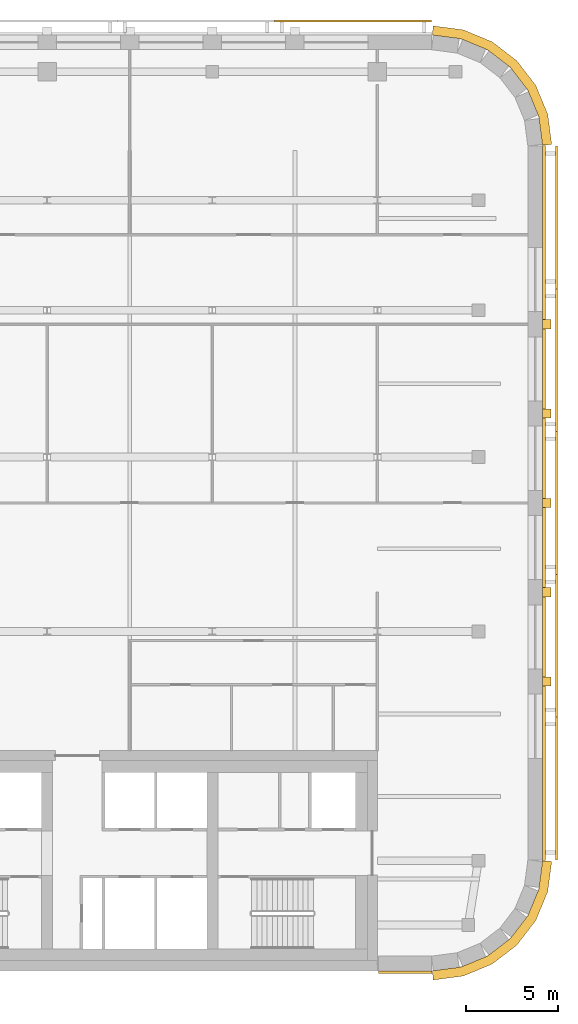
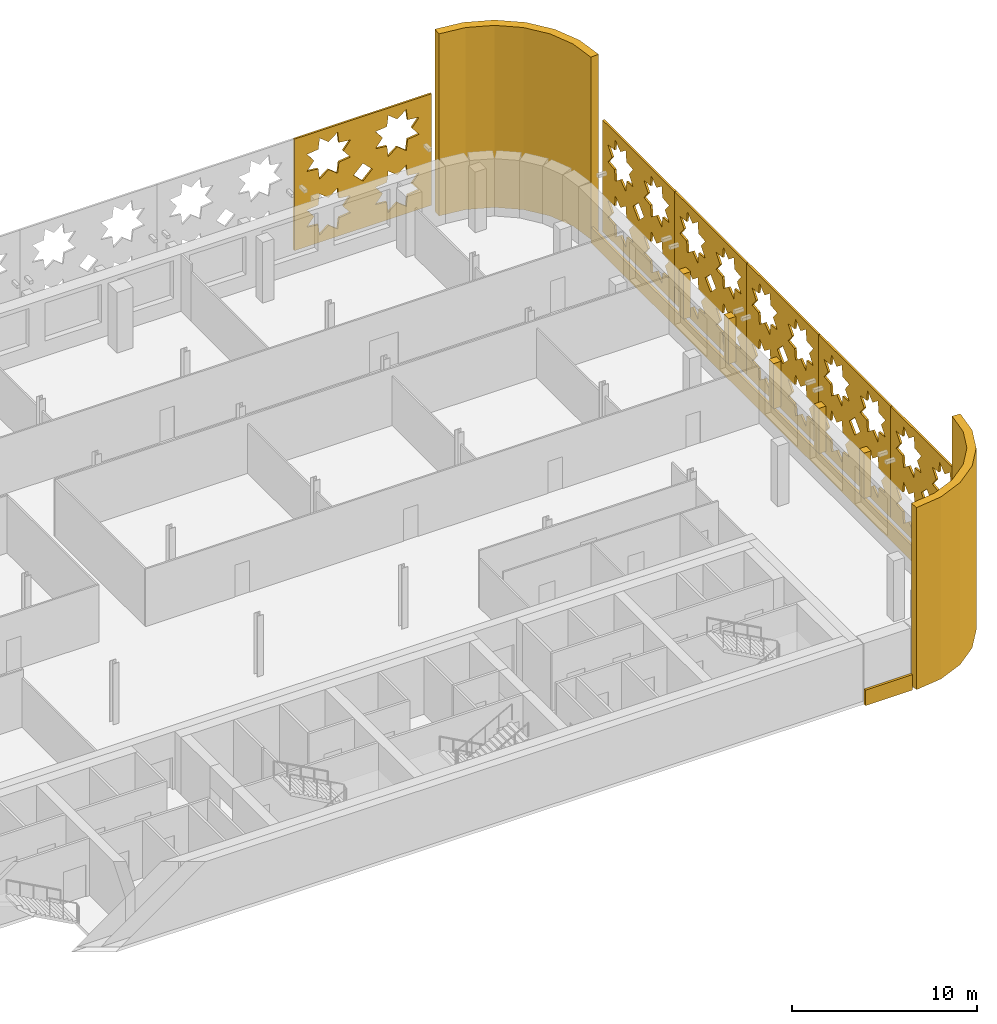
# One storey, part 16 of 16: 15 coverings.
"""IFC4 building model written with IfcOpenShell, lengths in metres."""

from ifc_helpers import new_model, si_unit, direction, frame, origin, place, context, subcontext, project, spatial, polyline, outline, extrude, material, layer, layer_set, type_object, element, save


model = new_model("IFC4")

# Units and contexts
model_context = context("Model", 3, precision=1e-05, world=origin(), true_north=direction((0.0, 1.0)))
body_context = subcontext(model_context, "Body", "Model", "MODEL_VIEW")
ifc_project = project(units=[si_unit("LENGTHUNIT", "METRE"), si_unit("AREAUNIT", "SQUARE_METRE"), si_unit("VOLUMEUNIT", "CUBIC_METRE"), si_unit("PLANEANGLEUNIT", "RADIAN"), si_unit("MASSUNIT", "GRAM", prefix="KILO")], contexts=[model_context])

# Site, building, storey
site_placement = place(None, origin())
site = spatial("IfcSite", under=ifc_project, at=site_placement, CompositionType="ELEMENT")
building_placement = place(site_placement, origin())
building = spatial("IfcBuilding", under=site, at=building_placement, Name="Zellij Exchange Tower", CompositionType="ELEMENT")
storey_placement = place(building_placement, frame((0.0, 0.0, 272.5)))
storey = spatial("IfcBuildingStorey", under=building, at=storey_placement, Name="L64", CompositionType="ELEMENT", Elevation=272.5)

# Coverings
ifc_material_1 = material(Name="Limestone cladding", Category="masonry")
ifc_layer_1 = layer(ifc_material_1, 0.14990234375)
ifc_layer_set_1 = layer_set([ifc_layer_1], Name="Limestone cladding")
covering_type_1 = type_object("IfcCoveringType", Name="ENV-CV1 Stone spandrel band 150", PredefinedType="CLADDING", material=ifc_layer_set_1)
covering_1_placement = place(storey_placement, frame((0.0, 0.0, -0.219970703125)))
element("IfcCovering", 1, at=covering_1_placement, inside=storey, type_object=covering_type_1, Name="Stone spandrel band", PredefinedType="CLADDING", context=body_context, shape_type="SweptSolid", body=[
    extrude(outline(polyline([(27.050048828125, -14.0), (29.973876953125, -14.0), (29.973876953125, -14.14990234375), (27.050048828125, -14.14990234375), (27.050048828125, -14.0)])), origin(), (0.0, 0.0, 1.0), 1.02001953125),
])
covering_2_placement = place(storey_placement, frame((0.0, 0.0, -0.219970703125)))
element("IfcCovering", 2, at=covering_2_placement, inside=storey, type_object=covering_type_1, Name="Stone spandrel band", PredefinedType="CLADDING", context=body_context, shape_type="SweptSolid", body=[
    extrude(outline(polyline([(36.0, -7.973876953125), (36.0, 30.973876953125), (36.14990234375, 30.983642578125), (36.14990234375, -7.983642578125), (36.0, -7.973876953125)])), origin(), (0.0, 0.0, 1.0), 1.02001953125),
])
ifc_layer_2 = layer(ifc_material_1, 0.5)
ifc_layer_set_2 = layer_set([ifc_layer_2], Name="Limestone cladding")
covering_type_2 = type_object("IfcCoveringType", Name="ENV-CV12 Stone corner pier 500", PredefinedType="CLADDING", material=ifc_layer_set_2)
covering_3_placement = place(storey_placement, origin())
element("IfcCovering", 3, at=covering_3_placement, inside=storey, type_object=covering_type_2, Name="Stone corner pier", PredefinedType="CLADDING", context=body_context, shape_type="SweptSolid", body=[
    extrude(outline(polyline([(30.0, -14.0), (31.552978515625, -13.795654296875), (33.0, -13.1962890625), (34.24267578125, -12.24267578125), (35.1962890625, -11.0), (35.795654296875, -9.552978515625), (36.0, -8.0), (36.5, -8.03271484375), (36.28271484375, -9.683349609375), (35.6328125, -11.252197265625), (34.59912109375, -12.59912109375), (33.252197265625, -13.6328125), (31.683349609375, -14.28271484375), (30.03271484375, -14.5), (30.0, -14.0)])), origin(), (0.0, 0.0, 1.0), 12.0),
])
covering_4_placement = place(storey_placement, origin())
element("IfcCovering", 4, at=covering_4_placement, inside=storey, type_object=covering_type_2, Name="Stone corner pier", PredefinedType="CLADDING", context=body_context, shape_type="SweptSolid", body=[
    extrude(outline(polyline([(36.0, 31.0), (35.795654296875, 32.552978515625), (35.1962890625, 34.0), (34.24267578125, 35.24267578125), (33.0, 36.1962890625), (31.552978515625, 36.795654296875), (30.0, 37.0), (30.03271484375, 37.5), (31.683349609375, 37.28271484375), (33.252197265625, 36.6328125), (34.59912109375, 35.59912109375), (35.6328125, 34.252197265625), (36.28271484375, 32.683349609375), (36.5, 31.03271484375), (36.0, 31.0)])), origin(), (0.0, 0.0, 1.0), 12.0),
])
covering_type_3 = type_object("IfcCoveringType", Name="ENV-CV4 Stone pier 500x450", PredefinedType="CLADDING", material=ifc_material_1)
covering_5_placement = place(storey_placement, frame((0.0, 0.0, 0.800048828125)))
element("IfcCovering", 5, at=covering_5_placement, inside=storey, type_object=covering_type_3, Name="Stone pier", PredefinedType="CLADDING", context=body_context, shape_type="SweptSolid", body=[
    extrude(outline(polyline([(36.0, 1.51318359375), (36.0, 2.01318359375), (36.449951171875, 2.01318359375), (36.449951171875, 1.51318359375), (36.0, 1.51318359375)])), origin(), (0.0, 0.0, 1.0), 2.97998046875),
])
covering_6_placement = place(storey_placement, frame((0.0, 0.0, 0.800048828125)))
element("IfcCovering", 6, at=covering_6_placement, inside=storey, type_object=covering_type_3, Name="Stone pier", PredefinedType="CLADDING", context=body_context, shape_type="SweptSolid", body=[
    extrude(outline(polyline([(36.0, 6.381591796875), (36.0, 6.881591796875), (36.449951171875, 6.881591796875), (36.449951171875, 6.381591796875), (36.0, 6.381591796875)])), origin(), (0.0, 0.0, 1.0), 2.97998046875),
])
covering_7_placement = place(storey_placement, frame((0.0, 0.0, 0.800048828125)))
element("IfcCovering", 7, at=covering_7_placement, inside=storey, type_object=covering_type_3, Name="Stone pier", PredefinedType="CLADDING", context=body_context, shape_type="SweptSolid", body=[
    extrude(outline(polyline([(36.0, 11.25), (36.0, 11.75), (36.449951171875, 11.75), (36.449951171875, 11.25), (36.0, 11.25)])), origin(), (0.0, 0.0, 1.0), 2.97998046875),
])
covering_8_placement = place(storey_placement, frame((0.0, 0.0, 0.800048828125)))
element("IfcCovering", 8, at=covering_8_placement, inside=storey, type_object=covering_type_3, Name="Stone pier", PredefinedType="CLADDING", context=body_context, shape_type="SweptSolid", body=[
    extrude(outline(polyline([(36.0, 16.118408203125), (36.0, 16.618408203125), (36.449951171875, 16.618408203125), (36.449951171875, 16.118408203125), (36.0, 16.118408203125)])), origin(), (0.0, 0.0, 1.0), 2.97998046875),
])
covering_9_placement = place(storey_placement, frame((0.0, 0.0, 0.800048828125)))
element("IfcCovering", 9, at=covering_9_placement, inside=storey, type_object=covering_type_3, Name="Stone pier", PredefinedType="CLADDING", context=body_context, shape_type="SweptSolid", body=[
    extrude(outline(polyline([(36.0, 20.98681640625), (36.0, 21.48681640625), (36.449951171875, 21.48681640625), (36.449951171875, 20.98681640625), (36.0, 20.98681640625)])), origin(), (0.0, 0.0, 1.0), 2.97998046875),
])
ifc_material_2 = material(Name="Limestone screen", Category="masonry")
ifc_layer_3 = layer(ifc_material_2, 0.1201171875)
ifc_layer_set_3 = layer_set([ifc_layer_3], Name="Limestone screen")
covering_type_4 = type_object("IfcCoveringType", Name="ENV-SC1 Pierced stone screen 120", PredefinedType="USERDEFINED", material=ifc_layer_set_3)
covering_10_placement = place(storey_placement, frame((29.947509765625, 37.760009765625, 0.300048828125), z_axis=(0.0, 0.0, 1.0), x_axis=(-1.0, 0.0, 0.0)))
element("IfcCovering", 10, at=covering_10_placement, inside=storey, type_object=covering_type_4, Name="Pierced stone screen", ObjectType="SCREEN", PredefinedType="USERDEFINED", context=body_context, shape_type="SweptSolid", body=[
    extrude(outline(polyline([(0.0, 0.0), (8.556396484375, 0.0), (8.556396484375, 7.35009765625), (0.0, 7.35009765625), (0.0, 0.0)]), holes=[polyline([(3.497314453125, 2.39990234375), (2.78369140625, 2.48193359375), (2.70166015625, 3.195556640625), (2.13916015625, 2.748779296875), (1.57666015625, 3.195556640625), (1.49462890625, 2.48193359375), (0.781005859375, 2.39990234375), (1.227783203125, 1.83740234375), (0.781005859375, 1.27490234375), (1.49462890625, 1.193115234375), (1.57666015625, 0.4794921875), (2.13916015625, 0.926025390625), (2.70166015625, 0.4794921875), (2.78369140625, 1.193115234375), (3.497314453125, 1.27490234375), (3.050537109375, 1.83740234375), (3.497314453125, 2.39990234375)]), polyline([(3.497314453125, 6.074951171875), (2.78369140625, 6.156982421875), (2.70166015625, 6.87060546875), (2.13916015625, 6.423828125), (1.57666015625, 6.87060546875), (1.49462890625, 6.156982421875), (0.781005859375, 6.074951171875), (1.227783203125, 5.512451171875), (0.781005859375, 4.949951171875), (1.49462890625, 4.867919921875), (1.57666015625, 4.154296875), (2.13916015625, 4.60107421875), (2.70166015625, 4.154296875), (2.78369140625, 4.867919921875), (3.497314453125, 4.949951171875), (3.050537109375, 5.512451171875), (3.497314453125, 6.074951171875)]), polyline([(7.775390625, 2.39990234375), (7.061767578125, 2.48193359375), (6.97998046875, 3.195556640625), (6.417236328125, 2.748779296875), (5.854736328125, 3.195556640625), (5.77294921875, 2.48193359375), (5.05908203125, 2.39990234375), (5.505859375, 1.83740234375), (5.05908203125, 1.27490234375), (5.77294921875, 1.193115234375), (5.854736328125, 0.4794921875), (6.417236328125, 0.926025390625), (6.97998046875, 0.4794921875), (7.061767578125, 1.193115234375), (7.775390625, 1.27490234375), (7.32861328125, 1.83740234375), (7.775390625, 2.39990234375)]), polyline([(7.775390625, 6.074951171875), (7.061767578125, 6.156982421875), (6.97998046875, 6.87060546875), (6.417236328125, 6.423828125), (5.854736328125, 6.87060546875), (5.77294921875, 6.156982421875), (5.05908203125, 6.074951171875), (5.505859375, 5.512451171875), (5.05908203125, 4.949951171875), (5.77294921875, 4.867919921875), (5.854736328125, 4.154296875), (6.417236328125, 4.60107421875), (6.97998046875, 4.154296875), (7.061767578125, 4.867919921875), (7.775390625, 4.949951171875), (7.32861328125, 5.512451171875), (7.775390625, 6.074951171875)]), polyline([(4.8662109375, 3.675048828125), (4.2783203125, 4.262939453125), (3.690185546875, 3.675048828125), (4.2783203125, 3.0869140625), (4.8662109375, 3.675048828125)])]), frame((0.0, 0.06005859375, 0.0), z_axis=(0.0, -1.0, 0.0), x_axis=(1.0, 0.0, 0.0)), (0.0, 0.0, 1.0), 0.1201171875),
])
covering_11_placement = place(storey_placement, frame((36.760009765625, -7.947509765625, 0.300048828125), z_axis=(0.0, 0.0, 1.0), x_axis=(0.0, 1.0, 0.0)))
element("IfcCovering", 11, at=covering_11_placement, inside=storey, type_object=covering_type_4, Name="Pierced stone screen", ObjectType="SCREEN", PredefinedType="USERDEFINED", context=body_context, shape_type="SweptSolid", body=[
    extrude(outline(polyline([(0.0, 0.0), (7.779052734375, 0.0), (7.779052734375, 7.35009765625), (0.0, 7.35009765625), (0.0, 0.0)]), holes=[polyline([(3.302978515625, 2.39990234375), (2.589111328125, 2.48193359375), (2.50732421875, 3.195556640625), (1.94482421875, 2.748779296875), (1.382080078125, 3.195556640625), (1.30029296875, 2.48193359375), (0.586669921875, 2.39990234375), (1.033447265625, 1.83740234375), (0.586669921875, 1.27490234375), (1.30029296875, 1.193115234375), (1.382080078125, 0.4794921875), (1.94482421875, 0.926025390625), (2.50732421875, 0.4794921875), (2.589111328125, 1.193115234375), (3.302978515625, 1.27490234375), (2.856201171875, 1.83740234375), (3.302978515625, 2.39990234375)]), polyline([(3.302978515625, 6.074951171875), (2.589111328125, 6.156982421875), (2.50732421875, 6.87060546875), (1.94482421875, 6.423828125), (1.382080078125, 6.87060546875), (1.30029296875, 6.156982421875), (0.586669921875, 6.074951171875), (1.033447265625, 5.512451171875), (0.586669921875, 4.949951171875), (1.30029296875, 4.867919921875), (1.382080078125, 4.154296875), (1.94482421875, 4.60107421875), (2.50732421875, 4.154296875), (2.589111328125, 4.867919921875), (3.302978515625, 4.949951171875), (2.856201171875, 5.512451171875), (3.302978515625, 6.074951171875)]), polyline([(7.1923828125, 2.39990234375), (6.478759765625, 2.48193359375), (6.396728515625, 3.195556640625), (5.834228515625, 2.748779296875), (5.271728515625, 3.195556640625), (5.189697265625, 2.48193359375), (4.476318359375, 2.39990234375), (4.9228515625, 1.83740234375), (4.476318359375, 1.27490234375), (5.189697265625, 1.193115234375), (5.271728515625, 0.4794921875), (5.834228515625, 0.926025390625), (6.396728515625, 0.4794921875), (6.478759765625, 1.193115234375), (7.1923828125, 1.27490234375), (6.74560546875, 1.83740234375), (7.1923828125, 2.39990234375)]), polyline([(7.1923828125, 6.074951171875), (6.478759765625, 6.156982421875), (6.396728515625, 6.87060546875), (5.834228515625, 6.423828125), (5.271728515625, 6.87060546875), (5.189697265625, 6.156982421875), (4.476318359375, 6.074951171875), (4.9228515625, 5.512451171875), (4.476318359375, 4.949951171875), (5.189697265625, 4.867919921875), (5.271728515625, 4.154296875), (5.834228515625, 4.60107421875), (6.396728515625, 4.154296875), (6.478759765625, 4.867919921875), (7.1923828125, 4.949951171875), (6.74560546875, 5.512451171875), (7.1923828125, 6.074951171875)]), polyline([(4.4775390625, 3.675048828125), (3.889404296875, 4.262939453125), (3.301513671875, 3.675048828125), (3.889404296875, 3.0869140625), (4.4775390625, 3.675048828125)])]), frame((0.0, 0.06005859375, 0.0), z_axis=(0.0, -1.0, 0.0), x_axis=(1.0, 0.0, 0.0)), (0.0, 0.0, 1.0), 0.1201171875),
])
covering_12_placement = place(storey_placement, frame((36.760009765625, -0.168701171875, 0.300048828125), z_axis=(0.0, 0.0, 1.0), x_axis=(0.0, 1.0, 0.0)))
element("IfcCovering", 12, at=covering_12_placement, inside=storey, type_object=covering_type_4, Name="Pierced stone screen", ObjectType="SCREEN", PredefinedType="USERDEFINED", context=body_context, shape_type="SweptSolid", body=[
    extrude(outline(polyline([(0.0, 0.0), (7.779052734375, 0.0), (7.779052734375, 7.35009765625), (0.0, 7.35009765625), (0.0, 0.0)]), holes=[polyline([(3.302978515625, 2.39990234375), (2.589111328125, 2.48193359375), (2.50732421875, 3.195556640625), (1.94482421875, 2.748779296875), (1.382080078125, 3.195556640625), (1.30029296875, 2.48193359375), (0.586669921875, 2.39990234375), (1.033447265625, 1.83740234375), (0.586669921875, 1.27490234375), (1.30029296875, 1.193115234375), (1.382080078125, 0.4794921875), (1.94482421875, 0.926025390625), (2.50732421875, 0.4794921875), (2.589111328125, 1.193115234375), (3.302978515625, 1.27490234375), (2.856201171875, 1.83740234375), (3.302978515625, 2.39990234375)]), polyline([(3.302978515625, 6.074951171875), (2.589111328125, 6.156982421875), (2.50732421875, 6.87060546875), (1.94482421875, 6.423828125), (1.382080078125, 6.87060546875), (1.30029296875, 6.156982421875), (0.586669921875, 6.074951171875), (1.033447265625, 5.512451171875), (0.586669921875, 4.949951171875), (1.30029296875, 4.867919921875), (1.382080078125, 4.154296875), (1.94482421875, 4.60107421875), (2.50732421875, 4.154296875), (2.589111328125, 4.867919921875), (3.302978515625, 4.949951171875), (2.856201171875, 5.512451171875), (3.302978515625, 6.074951171875)]), polyline([(7.1923828125, 2.39990234375), (6.478759765625, 2.48193359375), (6.396728515625, 3.195556640625), (5.834228515625, 2.748779296875), (5.271728515625, 3.195556640625), (5.189697265625, 2.48193359375), (4.476318359375, 2.39990234375), (4.9228515625, 1.83740234375), (4.476318359375, 1.27490234375), (5.189697265625, 1.193115234375), (5.271728515625, 0.4794921875), (5.834228515625, 0.926025390625), (6.396728515625, 0.4794921875), (6.478759765625, 1.193115234375), (7.1923828125, 1.27490234375), (6.74560546875, 1.83740234375), (7.1923828125, 2.39990234375)]), polyline([(7.1923828125, 6.074951171875), (6.478759765625, 6.156982421875), (6.396728515625, 6.87060546875), (5.834228515625, 6.423828125), (5.271728515625, 6.87060546875), (5.189697265625, 6.156982421875), (4.476318359375, 6.074951171875), (4.9228515625, 5.512451171875), (4.476318359375, 4.949951171875), (5.189697265625, 4.867919921875), (5.271728515625, 4.154296875), (5.834228515625, 4.60107421875), (6.396728515625, 4.154296875), (6.478759765625, 4.867919921875), (7.1923828125, 4.949951171875), (6.74560546875, 5.512451171875), (7.1923828125, 6.074951171875)]), polyline([(4.4775390625, 3.675048828125), (3.889404296875, 4.262939453125), (3.301513671875, 3.675048828125), (3.889404296875, 3.0869140625), (4.4775390625, 3.675048828125)])]), frame((0.0, 0.06005859375, 0.0), z_axis=(0.0, -1.0, 0.0), x_axis=(1.0, 0.0, 0.0)), (0.0, 0.0, 1.0), 0.1201171875),
])
covering_13_placement = place(storey_placement, frame((36.760009765625, 7.610595703125, 0.300048828125), z_axis=(0.0, 0.0, 1.0), x_axis=(0.0, 1.0, 0.0)))
element("IfcCovering", 13, at=covering_13_placement, inside=storey, type_object=covering_type_4, Name="Pierced stone screen", ObjectType="SCREEN", PredefinedType="USERDEFINED", context=body_context, shape_type="SweptSolid", body=[
    extrude(outline(polyline([(0.0, 0.0), (7.779052734375, 0.0), (7.779052734375, 7.35009765625), (0.0, 7.35009765625), (0.0, 0.0)]), holes=[polyline([(3.302978515625, 2.39990234375), (2.589111328125, 2.48193359375), (2.50732421875, 3.195556640625), (1.94482421875, 2.748779296875), (1.382080078125, 3.195556640625), (1.30029296875, 2.48193359375), (0.586669921875, 2.39990234375), (1.033447265625, 1.83740234375), (0.586669921875, 1.27490234375), (1.30029296875, 1.193115234375), (1.382080078125, 0.4794921875), (1.94482421875, 0.926025390625), (2.50732421875, 0.4794921875), (2.589111328125, 1.193115234375), (3.302978515625, 1.27490234375), (2.856201171875, 1.83740234375), (3.302978515625, 2.39990234375)]), polyline([(3.302978515625, 6.074951171875), (2.589111328125, 6.156982421875), (2.50732421875, 6.87060546875), (1.94482421875, 6.423828125), (1.382080078125, 6.87060546875), (1.30029296875, 6.156982421875), (0.586669921875, 6.074951171875), (1.033447265625, 5.512451171875), (0.586669921875, 4.949951171875), (1.30029296875, 4.867919921875), (1.382080078125, 4.154296875), (1.94482421875, 4.60107421875), (2.50732421875, 4.154296875), (2.589111328125, 4.867919921875), (3.302978515625, 4.949951171875), (2.856201171875, 5.512451171875), (3.302978515625, 6.074951171875)]), polyline([(7.1923828125, 2.39990234375), (6.478759765625, 2.48193359375), (6.396728515625, 3.195556640625), (5.834228515625, 2.748779296875), (5.271728515625, 3.195556640625), (5.189697265625, 2.48193359375), (4.476318359375, 2.39990234375), (4.9228515625, 1.83740234375), (4.476318359375, 1.27490234375), (5.189697265625, 1.193115234375), (5.271728515625, 0.4794921875), (5.834228515625, 0.926025390625), (6.396728515625, 0.4794921875), (6.478759765625, 1.193115234375), (7.1923828125, 1.27490234375), (6.74560546875, 1.83740234375), (7.1923828125, 2.39990234375)]), polyline([(7.1923828125, 6.074951171875), (6.478759765625, 6.156982421875), (6.396728515625, 6.87060546875), (5.834228515625, 6.423828125), (5.271728515625, 6.87060546875), (5.189697265625, 6.156982421875), (4.476318359375, 6.074951171875), (4.9228515625, 5.512451171875), (4.476318359375, 4.949951171875), (5.189697265625, 4.867919921875), (5.271728515625, 4.154296875), (5.834228515625, 4.60107421875), (6.396728515625, 4.154296875), (6.478759765625, 4.867919921875), (7.1923828125, 4.949951171875), (6.74560546875, 5.512451171875), (7.1923828125, 6.074951171875)]), polyline([(4.4775390625, 3.675048828125), (3.889404296875, 4.262939453125), (3.301513671875, 3.675048828125), (3.889404296875, 3.0869140625), (4.4775390625, 3.675048828125)])]), frame((0.0, 0.06005859375, 0.0), z_axis=(0.0, -1.0, 0.0), x_axis=(1.0, 0.0, 0.0)), (0.0, 0.0, 1.0), 0.1201171875),
])
covering_14_placement = place(storey_placement, frame((36.760009765625, 15.389404296875, 0.300048828125), z_axis=(0.0, 0.0, 1.0), x_axis=(0.0, 1.0, 0.0)))
element("IfcCovering", 14, at=covering_14_placement, inside=storey, type_object=covering_type_4, Name="Pierced stone screen", ObjectType="SCREEN", PredefinedType="USERDEFINED", context=body_context, shape_type="SweptSolid", body=[
    extrude(outline(polyline([(0.0, 0.0), (7.779052734375, 0.0), (7.779052734375, 7.35009765625), (0.0, 7.35009765625), (0.0, 0.0)]), holes=[polyline([(3.302978515625, 2.39990234375), (2.589111328125, 2.48193359375), (2.50732421875, 3.195556640625), (1.94482421875, 2.748779296875), (1.382080078125, 3.195556640625), (1.30029296875, 2.48193359375), (0.586669921875, 2.39990234375), (1.033447265625, 1.83740234375), (0.586669921875, 1.27490234375), (1.30029296875, 1.193115234375), (1.382080078125, 0.4794921875), (1.94482421875, 0.926025390625), (2.50732421875, 0.4794921875), (2.589111328125, 1.193115234375), (3.302978515625, 1.27490234375), (2.856201171875, 1.83740234375), (3.302978515625, 2.39990234375)]), polyline([(3.302978515625, 6.074951171875), (2.589111328125, 6.156982421875), (2.50732421875, 6.87060546875), (1.94482421875, 6.423828125), (1.382080078125, 6.87060546875), (1.30029296875, 6.156982421875), (0.586669921875, 6.074951171875), (1.033447265625, 5.512451171875), (0.586669921875, 4.949951171875), (1.30029296875, 4.867919921875), (1.382080078125, 4.154296875), (1.94482421875, 4.60107421875), (2.50732421875, 4.154296875), (2.589111328125, 4.867919921875), (3.302978515625, 4.949951171875), (2.856201171875, 5.512451171875), (3.302978515625, 6.074951171875)]), polyline([(7.1923828125, 2.39990234375), (6.478759765625, 2.48193359375), (6.396728515625, 3.195556640625), (5.834228515625, 2.748779296875), (5.271728515625, 3.195556640625), (5.189697265625, 2.48193359375), (4.476318359375, 2.39990234375), (4.9228515625, 1.83740234375), (4.476318359375, 1.27490234375), (5.189697265625, 1.193115234375), (5.271728515625, 0.4794921875), (5.834228515625, 0.926025390625), (6.396728515625, 0.4794921875), (6.478759765625, 1.193115234375), (7.1923828125, 1.27490234375), (6.74560546875, 1.83740234375), (7.1923828125, 2.39990234375)]), polyline([(7.1923828125, 6.074951171875), (6.478759765625, 6.156982421875), (6.396728515625, 6.87060546875), (5.834228515625, 6.423828125), (5.271728515625, 6.87060546875), (5.189697265625, 6.156982421875), (4.476318359375, 6.074951171875), (4.9228515625, 5.512451171875), (4.476318359375, 4.949951171875), (5.189697265625, 4.867919921875), (5.271728515625, 4.154296875), (5.834228515625, 4.60107421875), (6.396728515625, 4.154296875), (6.478759765625, 4.867919921875), (7.1923828125, 4.949951171875), (6.74560546875, 5.512451171875), (7.1923828125, 6.074951171875)]), polyline([(4.4775390625, 3.675048828125), (3.889404296875, 4.262939453125), (3.301513671875, 3.675048828125), (3.889404296875, 3.0869140625), (4.4775390625, 3.675048828125)])]), frame((0.0, 0.06005859375, 0.0), z_axis=(0.0, -1.0, 0.0), x_axis=(1.0, 0.0, 0.0)), (0.0, 0.0, 1.0), 0.1201171875),
])
covering_15_placement = place(storey_placement, frame((36.760009765625, 23.168701171875, 0.300048828125), z_axis=(0.0, 0.0, 1.0), x_axis=(0.0, 1.0, 0.0)))
element("IfcCovering", 15, at=covering_15_placement, inside=storey, type_object=covering_type_4, Name="Pierced stone screen", ObjectType="SCREEN", PredefinedType="USERDEFINED", context=body_context, shape_type="SweptSolid", body=[
    extrude(outline(polyline([(0.0, 0.0), (7.779052734375, 0.0), (7.779052734375, 7.35009765625), (0.0, 7.35009765625), (0.0, 0.0)]), holes=[polyline([(3.302978515625, 2.39990234375), (2.589111328125, 2.48193359375), (2.50732421875, 3.195556640625), (1.94482421875, 2.748779296875), (1.382080078125, 3.195556640625), (1.30029296875, 2.48193359375), (0.586669921875, 2.39990234375), (1.033447265625, 1.83740234375), (0.586669921875, 1.27490234375), (1.30029296875, 1.193115234375), (1.382080078125, 0.4794921875), (1.94482421875, 0.926025390625), (2.50732421875, 0.4794921875), (2.589111328125, 1.193115234375), (3.302978515625, 1.27490234375), (2.856201171875, 1.83740234375), (3.302978515625, 2.39990234375)]), polyline([(3.302978515625, 6.074951171875), (2.589111328125, 6.156982421875), (2.50732421875, 6.87060546875), (1.94482421875, 6.423828125), (1.382080078125, 6.87060546875), (1.30029296875, 6.156982421875), (0.586669921875, 6.074951171875), (1.033447265625, 5.512451171875), (0.586669921875, 4.949951171875), (1.30029296875, 4.867919921875), (1.382080078125, 4.154296875), (1.94482421875, 4.60107421875), (2.50732421875, 4.154296875), (2.589111328125, 4.867919921875), (3.302978515625, 4.949951171875), (2.856201171875, 5.512451171875), (3.302978515625, 6.074951171875)]), polyline([(7.1923828125, 2.39990234375), (6.478759765625, 2.48193359375), (6.396728515625, 3.195556640625), (5.834228515625, 2.748779296875), (5.271728515625, 3.195556640625), (5.189697265625, 2.48193359375), (4.476318359375, 2.39990234375), (4.9228515625, 1.83740234375), (4.476318359375, 1.27490234375), (5.189697265625, 1.193115234375), (5.271728515625, 0.4794921875), (5.834228515625, 0.926025390625), (6.396728515625, 0.4794921875), (6.478759765625, 1.193115234375), (7.1923828125, 1.27490234375), (6.74560546875, 1.83740234375), (7.1923828125, 2.39990234375)]), polyline([(7.1923828125, 6.074951171875), (6.478759765625, 6.156982421875), (6.396728515625, 6.87060546875), (5.834228515625, 6.423828125), (5.271728515625, 6.87060546875), (5.189697265625, 6.156982421875), (4.476318359375, 6.074951171875), (4.9228515625, 5.512451171875), (4.476318359375, 4.949951171875), (5.189697265625, 4.867919921875), (5.271728515625, 4.154296875), (5.834228515625, 4.60107421875), (6.396728515625, 4.154296875), (6.478759765625, 4.867919921875), (7.1923828125, 4.949951171875), (6.74560546875, 5.512451171875), (7.1923828125, 6.074951171875)]), polyline([(4.4775390625, 3.675048828125), (3.889404296875, 4.262939453125), (3.301513671875, 3.675048828125), (3.889404296875, 3.0869140625), (4.4775390625, 3.675048828125)])]), frame((0.0, 0.06005859375, 0.0), z_axis=(0.0, -1.0, 0.0), x_axis=(1.0, 0.0, 0.0)), (0.0, 0.0, 1.0), 0.1201171875),
])

save(model, "model.ifc")
